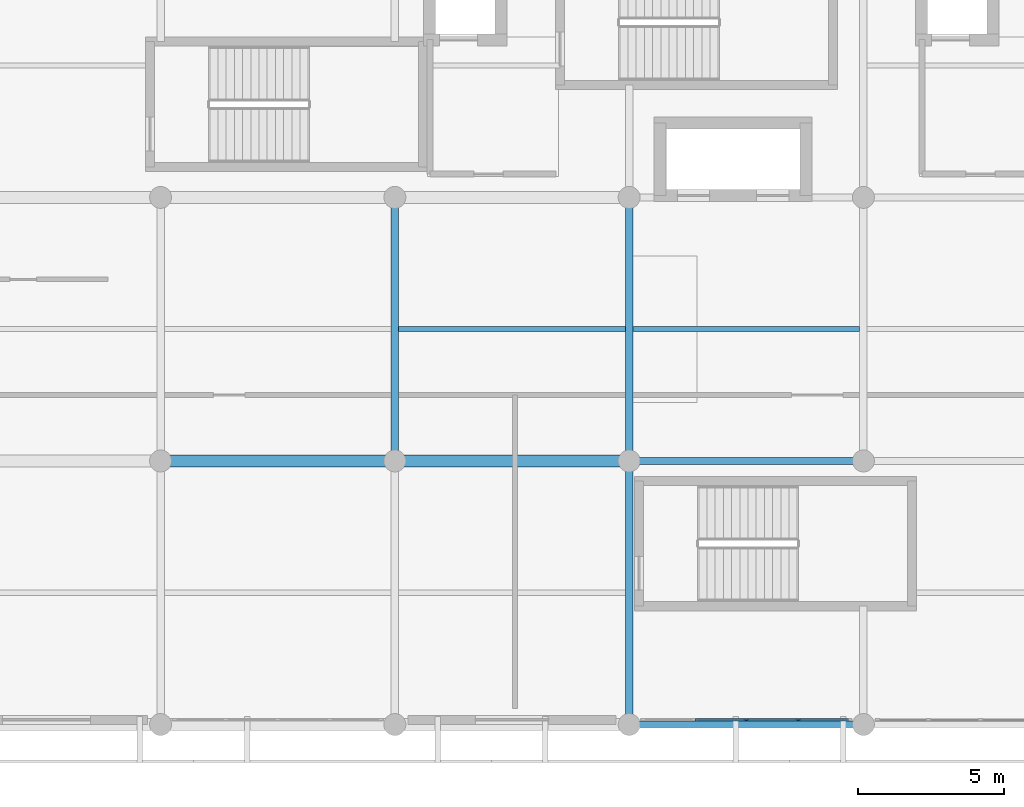
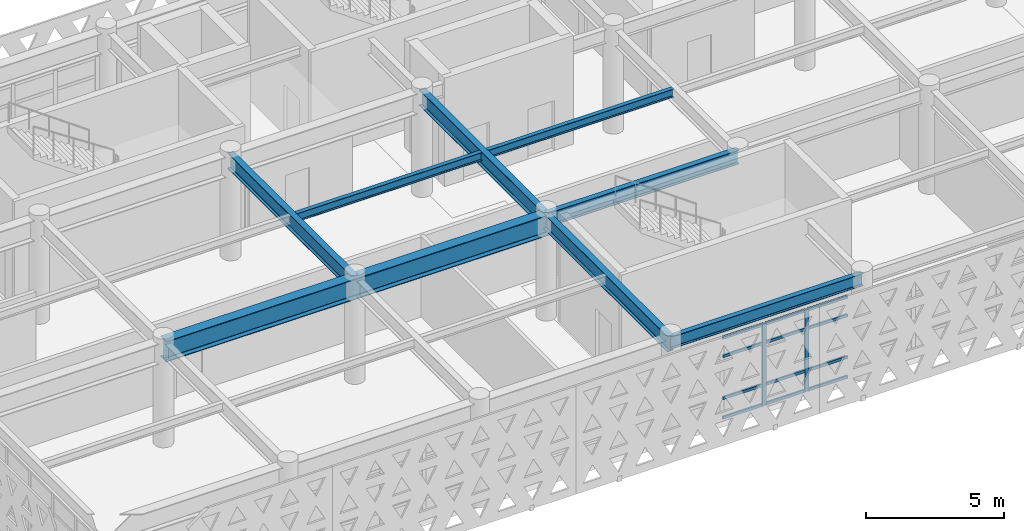
# One storey, part 4 of 33: 14 members, 8 beams, 1 element without a shape of its own.
"""IFC4 building model written with IfcOpenShell, lengths in metres."""

from ifc_helpers import new_model, si_unit, direction, frame, origin, origin_2d, place, context, subcontext, project, spatial, rectangle, i_section, extrude, material, layer, layer_set, material_profile, profile_set, type_object, element, aggregate, save


model = new_model("IFC4")

# Units and contexts
model_context = context("Model", 3, precision=1e-05, world=origin(), true_north=direction((0.0, 1.0)))
body_context = subcontext(model_context, "Body", "Model", "MODEL_VIEW")
ifc_project = project(units=[si_unit("LENGTHUNIT", "METRE"), si_unit("AREAUNIT", "SQUARE_METRE"), si_unit("VOLUMEUNIT", "CUBIC_METRE"), si_unit("PLANEANGLEUNIT", "RADIAN"), si_unit("MASSUNIT", "GRAM", prefix="KILO")], contexts=[model_context])

# Site, building, storey
site_placement = place(None, origin())
site = spatial("IfcSite", under=ifc_project, at=site_placement, CompositionType="ELEMENT")
building_placement = place(site_placement, origin())
building = spatial("IfcBuilding", under=site, at=building_placement, Name="Tlacozan Convention Centre", CompositionType="ELEMENT")
storey_placement = place(building_placement, frame((0.0, 0.0, 16.199951171875)))
storey = spatial("IfcBuildingStorey", under=building, at=storey_placement, Name="L03", CompositionType="ELEMENT", Elevation=16.199951171875)

# Curtain wall, members
ifc_material_1 = material(Name="Dark Bronze Anodised Aluminium", Category="aluminium")
ifc_layer = layer(ifc_material_1, 0.159912109375)
ifc_layer_set = layer_set([ifc_layer], Name="Dark Bronze Anodised Aluminium")
curtain_wall_type = type_object("IfcCurtainWallType", Name="Unitised Congress L03 South CW04", PredefinedType="NOTDEFINED", material=ifc_layer_set)
curtain_wall_placement = place(storey_placement, origin())
curtain_wall = element("IfcCurtainWall", 1, at=curtain_wall_placement, inside=storey, type_object=curtain_wall_type, Name="L03 CW-04 Run 103", PredefinedType="NOTDEFINED")
ifc_material_profile_1 = material_profile(ifc_material_1, rectangle(XDim=0.06494140625, YDim=0.159912109375, at=origin_2d()), Name="ALU 65x160")
ifc_profile_set_1 = profile_set([ifc_material_profile_1], Name="Dark Bronze Anodised Aluminium")
member_type_1 = type_object("IfcMemberType", Name="Curtain Wall Mullion 65x160", PredefinedType="MULLION", material=ifc_profile_set_1)
member_1_placement = place(storey_placement, frame((28.0, 0.159912109375, 0.0), z_axis=(0.0, 0.0, 1.0), x_axis=(0.0, 1.0, 0.0)))
member_1 = element("IfcMember", 2, at=member_1_placement, type_object=member_type_1, Name="CW-04 mullion 3", PredefinedType="MULLION", context=body_context, shape_type="SweptSolid", body=[
    extrude(rectangle(XDim=0.06494140625, YDim=0.159912109375, at=origin_2d()), origin(), (0.0, 0.0, 1.0), 3.60009765625),
])
member_2_placement = place(storey_placement, frame((29.77490234375, 0.159912109375, 0.0), z_axis=(0.0, 0.0, 1.0), x_axis=(0.0, 1.0, 0.0)))
member_2 = element("IfcMember", 3, at=member_2_placement, type_object=member_type_1, Name="CW-04 mullion 4", PredefinedType="MULLION", context=body_context, shape_type="SweptSolid", body=[
    extrude(rectangle(XDim=0.06494140625, YDim=0.159912109375, at=origin_2d()), origin(), (0.0, 0.0, 1.0), 3.60009765625),
])
ifc_material_profile_2 = material_profile(ifc_material_1, rectangle(XDim=0.06494140625, YDim=0.125, at=origin_2d()), Name="ALU 65x125")
ifc_profile_set_2 = profile_set([ifc_material_profile_2], Name="Dark Bronze Anodised Aluminium")
member_type_2 = type_object("IfcMemberType", Name="Curtain Wall Transom 65x125", PredefinedType="USERDEFINED", material=ifc_profile_set_2)
member_3_placement = place(storey_placement, frame((26.257568359375, 0.159912109375, 0.032470703125), z_axis=(1.0, 0.0, 0.0), x_axis=(0.0, 1.0, 0.0)))
member_3 = element("IfcMember", 4, at=member_3_placement, type_object=member_type_2, Name="CW-04 transom 2.1", ObjectType="TRANSOM", PredefinedType="USERDEFINED", context=body_context, shape_type="SweptSolid", body=[
    extrude(rectangle(XDim=0.06494140625, YDim=0.125, at=origin_2d()), origin(), (0.0, 0.0, 1.0), 1.7099609375),
])
member_4_placement = place(storey_placement, frame((26.257568359375, 0.159912109375, 0.900146484375), z_axis=(1.0, 0.0, 0.0), x_axis=(0.0, 1.0, 0.0)))
member_4 = element("IfcMember", 5, at=member_4_placement, type_object=member_type_2, Name="CW-04 transom 2.2", ObjectType="TRANSOM", PredefinedType="USERDEFINED", context=body_context, shape_type="SweptSolid", body=[
    extrude(rectangle(XDim=0.06494140625, YDim=0.125, at=origin_2d()), origin(), (0.0, 0.0, 1.0), 1.7099609375),
])
member_5_placement = place(storey_placement, frame((26.257568359375, 0.159912109375, 2.75), z_axis=(1.0, 0.0, 0.0), x_axis=(0.0, 1.0, 0.0)))
member_5 = element("IfcMember", 6, at=member_5_placement, type_object=member_type_2, Name="CW-04 transom 2.3", ObjectType="TRANSOM", PredefinedType="USERDEFINED", context=body_context, shape_type="SweptSolid", body=[
    extrude(rectangle(XDim=0.06494140625, YDim=0.125, at=origin_2d()), origin(), (0.0, 0.0, 1.0), 1.7099609375),
])
member_6_placement = place(storey_placement, frame((26.257568359375, 0.159912109375, 3.567626953125), z_axis=(1.0, 0.0, 0.0), x_axis=(0.0, 1.0, 0.0)))
member_6 = element("IfcMember", 7, at=member_6_placement, type_object=member_type_2, Name="CW-04 transom 2.4", ObjectType="TRANSOM", PredefinedType="USERDEFINED", context=body_context, shape_type="SweptSolid", body=[
    extrude(rectangle(XDim=0.06494140625, YDim=0.125, at=origin_2d()), origin(), (0.0, 0.0, 1.0), 1.7099609375),
])
member_7_placement = place(storey_placement, frame((28.032470703125, 0.159912109375, 0.032470703125), z_axis=(1.0, 0.0, 0.0), x_axis=(0.0, 1.0, 0.0)))
member_7 = element("IfcMember", 8, at=member_7_placement, type_object=member_type_2, Name="CW-04 transom 3.1", ObjectType="TRANSOM", PredefinedType="USERDEFINED", context=body_context, shape_type="SweptSolid", body=[
    extrude(rectangle(XDim=0.06494140625, YDim=0.125, at=origin_2d()), origin(), (0.0, 0.0, 1.0), 1.7099609375),
])
member_8_placement = place(storey_placement, frame((28.032470703125, 0.159912109375, 0.900146484375), z_axis=(1.0, 0.0, 0.0), x_axis=(0.0, 1.0, 0.0)))
member_8 = element("IfcMember", 9, at=member_8_placement, type_object=member_type_2, Name="CW-04 transom 3.2", ObjectType="TRANSOM", PredefinedType="USERDEFINED", context=body_context, shape_type="SweptSolid", body=[
    extrude(rectangle(XDim=0.06494140625, YDim=0.125, at=origin_2d()), origin(), (0.0, 0.0, 1.0), 1.7099609375),
])
member_9_placement = place(storey_placement, frame((28.032470703125, 0.159912109375, 2.75), z_axis=(1.0, 0.0, 0.0), x_axis=(0.0, 1.0, 0.0)))
member_9 = element("IfcMember", 10, at=member_9_placement, type_object=member_type_2, Name="CW-04 transom 3.3", ObjectType="TRANSOM", PredefinedType="USERDEFINED", context=body_context, shape_type="SweptSolid", body=[
    extrude(rectangle(XDim=0.06494140625, YDim=0.125, at=origin_2d()), origin(), (0.0, 0.0, 1.0), 1.7099609375),
])
member_10_placement = place(storey_placement, frame((28.032470703125, 0.159912109375, 3.567626953125), z_axis=(1.0, 0.0, 0.0), x_axis=(0.0, 1.0, 0.0)))
member_10 = element("IfcMember", 11, at=member_10_placement, type_object=member_type_2, Name="CW-04 transom 3.4", ObjectType="TRANSOM", PredefinedType="USERDEFINED", context=body_context, shape_type="SweptSolid", body=[
    extrude(rectangle(XDim=0.06494140625, YDim=0.125, at=origin_2d()), origin(), (0.0, 0.0, 1.0), 1.7099609375),
])
member_11_placement = place(storey_placement, frame((29.8076171875, 0.159912109375, 0.032470703125), z_axis=(1.0, 0.0, 0.0), x_axis=(0.0, 1.0, 0.0)))
member_11 = element("IfcMember", 12, at=member_11_placement, type_object=member_type_2, Name="CW-04 transom 4.1", ObjectType="TRANSOM", PredefinedType="USERDEFINED", context=body_context, shape_type="SweptSolid", body=[
    extrude(rectangle(XDim=0.06494140625, YDim=0.125, at=origin_2d()), origin(), (0.0, 0.0, 1.0), 1.677490234375),
])
member_12_placement = place(storey_placement, frame((29.8076171875, 0.159912109375, 0.900146484375), z_axis=(1.0, 0.0, 0.0), x_axis=(0.0, 1.0, 0.0)))
member_12 = element("IfcMember", 13, at=member_12_placement, type_object=member_type_2, Name="CW-04 transom 4.2", ObjectType="TRANSOM", PredefinedType="USERDEFINED", context=body_context, shape_type="SweptSolid", body=[
    extrude(rectangle(XDim=0.06494140625, YDim=0.125, at=origin_2d()), origin(), (0.0, 0.0, 1.0), 1.677490234375),
])
member_13_placement = place(storey_placement, frame((29.8076171875, 0.159912109375, 2.75), z_axis=(1.0, 0.0, 0.0), x_axis=(0.0, 1.0, 0.0)))
member_13 = element("IfcMember", 14, at=member_13_placement, type_object=member_type_2, Name="CW-04 transom 4.3", ObjectType="TRANSOM", PredefinedType="USERDEFINED", context=body_context, shape_type="SweptSolid", body=[
    extrude(rectangle(XDim=0.06494140625, YDim=0.125, at=origin_2d()), origin(), (0.0, 0.0, 1.0), 1.677490234375),
])
member_14_placement = place(storey_placement, frame((29.8076171875, 0.159912109375, 3.567626953125), z_axis=(1.0, 0.0, 0.0), x_axis=(0.0, 1.0, 0.0)))
member_14 = element("IfcMember", 15, at=member_14_placement, type_object=member_type_2, Name="CW-04 transom 4.4", ObjectType="TRANSOM", PredefinedType="USERDEFINED", context=body_context, shape_type="SweptSolid", body=[
    extrude(rectangle(XDim=0.06494140625, YDim=0.125, at=origin_2d()), origin(), (0.0, 0.0, 1.0), 1.677490234375),
])
aggregate(curtain_wall, [member_1, member_2, member_3, member_4, member_5, member_6, member_7, member_8, member_9, member_10, member_11, member_12, member_13, member_14])

# Beams
ifc_material_2 = material(Name="Steel ASTM A992 Grade 50", Category="steel")
ifc_material_profile_3 = material_profile(ifc_material_2, i_section(OverallWidth=0.22900390625, OverallDepth=0.612060546875, WebThickness=0.011962890625, FlangeThickness=0.01953125, FilletRadius=0.012939453125, at=origin_2d()), Name="IR 610x125.0")
ifc_profile_set_3 = profile_set([ifc_material_profile_3], Name="Steel ASTM A992 Grade 50")
beam_type_1 = type_object("IfcBeamType", Name="Floor Beam IR 610x125", PredefinedType="BEAM", material=ifc_profile_set_3)
beam_1_placement = place(storey_placement, frame((24.0, 9.0, 4.254150390625), z_axis=(1.0, 0.0, 0.0), x_axis=(0.0, 1.0, 0.0)))
element("IfcBeam", 16, at=beam_1_placement, inside=storey, type_object=beam_type_1, Name="L03 Floor Beam IR 610x125 585", PredefinedType="BEAM", context=body_context, shape_type="SweptSolid", body=[
    extrude(i_section(OverallWidth=0.22900390625, OverallDepth=0.612060546875, WebThickness=0.011962890625, FlangeThickness=0.01953125, FilletRadius=0.012939453125, at=origin_2d()), origin(), (0.0, 0.0, 1.0), 8.0),
])
ifc_material_profile_4 = material_profile(ifc_material_2, i_section(OverallWidth=0.256103515625, OverallDepth=0.693115234375, WebThickness=0.014404296875, FlangeThickness=0.023681640625, FilletRadius=0.014892578125, at=origin_2d()), Name="IR 686x170.0")
ifc_profile_set_4 = profile_set([ifc_material_profile_4], Name="Steel ASTM A992 Grade 50")
beam_type_2 = type_object("IfcBeamType", Name="Girder Steel IR 686x170", PredefinedType="BEAM", material=ifc_profile_set_4)
for number, where, z_axis, x_axis, name in (
    (17, (16.0, 9.0, 4.213623046875), (0.0, 1.0, 0.0), (-1.0, 0.0, 0.0), "L03 Girder Steel IR 686x170 541"),
    (18, (24.0, 0.0, 4.213623046875), (0.0, 1.0, 0.0), (-1.0, 0.0, 0.0), "L03 Girder Steel IR 686x170 543"),
    (19, (24.0, 9.0, 4.213623046875), (0.0, 1.0, 0.0), (-1.0, 0.0, 0.0), "L03 Girder Steel IR 686x170 544"),
):
    element("IfcBeam", number, at=place(storey_placement, frame(where, z_axis=z_axis, x_axis=x_axis)), inside=storey, type_object=beam_type_2, Name=name, PredefinedType="BEAM", context=body_context, shape_type="SweptSolid", body=[
        extrude(i_section(OverallWidth=0.256103515625, OverallDepth=0.693115234375, WebThickness=0.014404296875, FlangeThickness=0.023681640625, FilletRadius=0.014892578125, at=origin_2d()), origin(), (0.0, 0.0, 1.0), 9.0),
    ])
ifc_material_profile_5 = material_profile(ifc_material_2, i_section(OverallWidth=0.2109375, OverallDepth=0.5390625, WebThickness=0.01171875, FlangeThickness=0.018798828125, FilletRadius=0.012939453125, at=origin_2d()), Name="IR 533x109.0")
ifc_profile_set_5 = profile_set([ifc_material_profile_5], Name="Steel ASTM A992 Grade 50")
beam_type_3 = type_object("IfcBeamType", Name="Perimeter Spandrel IR 533x109", PredefinedType="SPANDREL", material=ifc_profile_set_5)
beam_2_placement = place(storey_placement, frame((24.0, 0.0, 4.29052734375), z_axis=(1.0, 0.0, 0.0), x_axis=(0.0, 1.0, 0.0)))
element("IfcBeam", 20, at=beam_2_placement, inside=storey, type_object=beam_type_3, Name="L03 Perimeter Spandrel IR 533x109 584", PredefinedType="SPANDREL", context=body_context, shape_type="SweptSolid", body=[
    extrude(i_section(OverallWidth=0.2109375, OverallDepth=0.5390625, WebThickness=0.01171875, FlangeThickness=0.018798828125, FilletRadius=0.012939453125, at=origin_2d()), origin(), (0.0, 0.0, 1.0), 8.0),
])
ifc_material_profile_6 = material_profile(ifc_material_2, i_section(OverallWidth=0.173095703125, OverallDepth=0.364013671875, WebThickness=0.009033203125, FlangeThickness=0.015625, FilletRadius=0.010009765625, at=origin_2d()), Name="IR 356x67.1")
ifc_profile_set_6 = profile_set([ifc_material_profile_6], Name="Steel ASTM A992 Grade 50")
beam_type_4 = type_object("IfcBeamType", Name="Secondary Joist IR 356x67.1", PredefinedType="JOIST", material=ifc_profile_set_6)
for number, where, z_axis, x_axis, name in (
    (21, (16.1259765625, 13.5, 4.3779296875), (1.0, 0.0, 0.0), (0.0, 1.0, 0.0), "L03 Secondary Joist IR 356x67.1 626"),
    (22, (24.1259765625, 13.5, 4.3779296875), (1.0, 0.0, 0.0), (0.0, 1.0, 0.0), "L03 Secondary Joist IR 356x67.1 628"),
):
    element("IfcBeam", number, at=place(storey_placement, frame(where, z_axis=z_axis, x_axis=x_axis)), inside=storey, type_object=beam_type_4, Name=name, PredefinedType="JOIST", context=body_context, shape_type="SweptSolid", body=[
        extrude(i_section(OverallWidth=0.173095703125, OverallDepth=0.364013671875, WebThickness=0.009033203125, FlangeThickness=0.015625, FilletRadius=0.010009765625, at=origin_2d()), origin(), (0.0, 0.0, 1.0), 7.748046875),
    ])
ifc_material_profile_7 = material_profile(ifc_material_2, i_section(OverallWidth=0.41796875, OverallDepth=0.912109375, WebThickness=0.019287109375, FlangeThickness=0.031982421875, FilletRadius=0.02001953125, at=origin_2d()), Name="IR 914x342.0")
ifc_profile_set_7 = profile_set([ifc_material_profile_7], Name="Steel ASTM A992 Grade 50")
beam_type_5 = type_object("IfcBeamType", Name="Transfer Girder IR 914x342", PredefinedType="BEAM", material=ifc_profile_set_7)
beam_3_placement = place(storey_placement, frame((24.0, 9.0, 4.10400390625), z_axis=(-1.0, 0.0, 0.0), x_axis=(0.0, -1.0, 0.0)))
element("IfcBeam", 23, at=beam_3_placement, inside=storey, type_object=beam_type_5, Name="L03 Transfer Girder IR 914x342 578", PredefinedType="BEAM", context=body_context, shape_type="SweptSolid", body=[
    extrude(i_section(OverallWidth=0.41796875, OverallDepth=0.912109375, WebThickness=0.019287109375, FlangeThickness=0.031982421875, FilletRadius=0.02001953125, at=origin_2d()), origin(), (0.0, 0.0, 1.0), 16.0),
])

save(model, "model.ifc")
